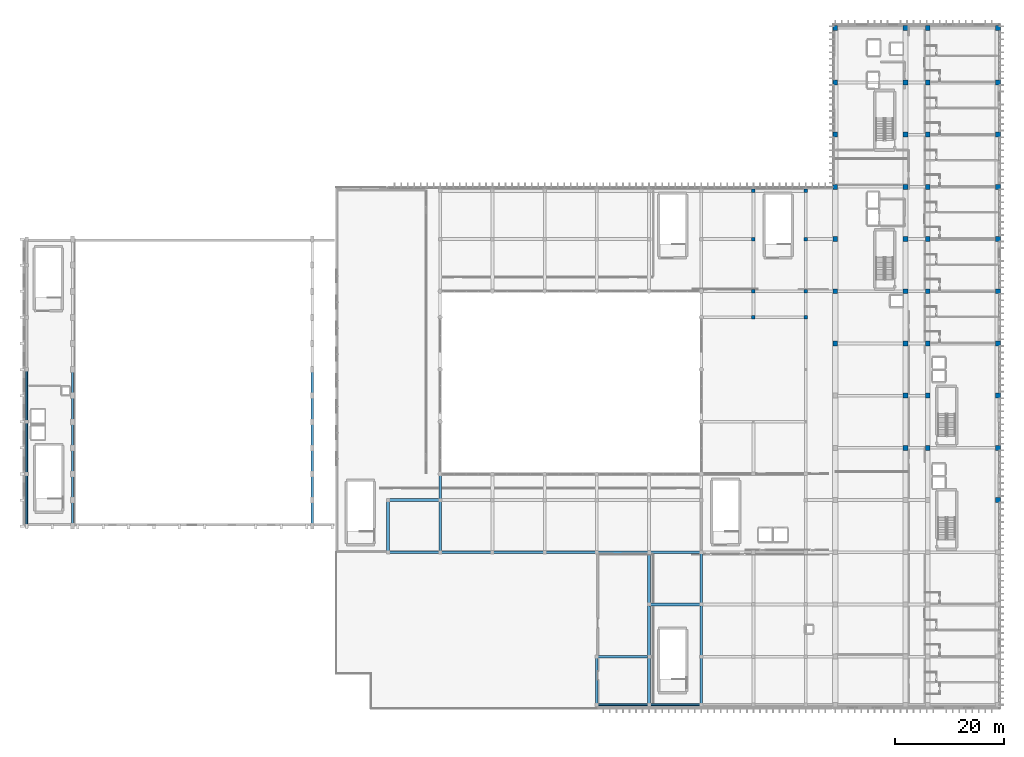
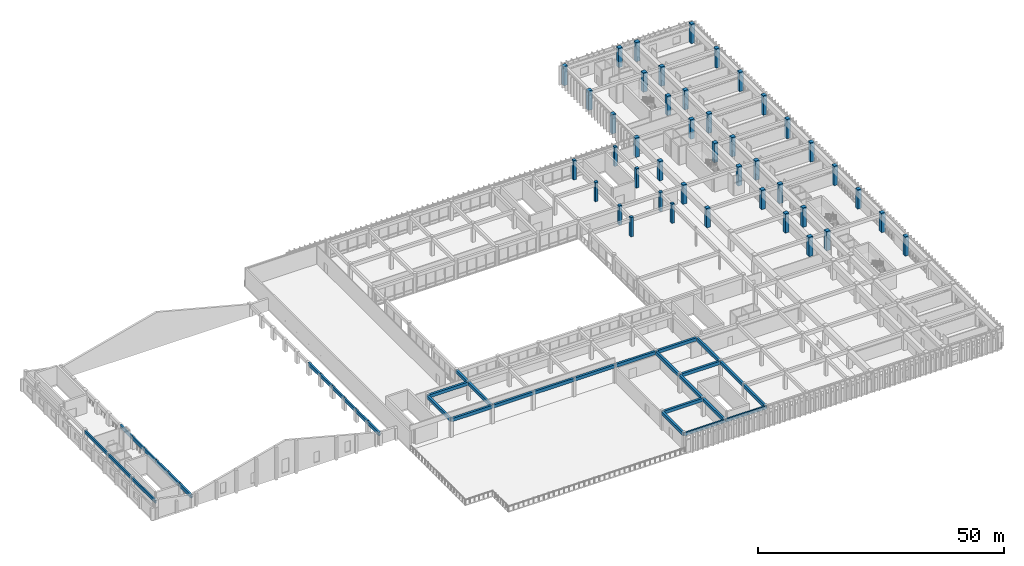
# One storey, part 3 of 101: 43 columns, 36 beams.
"""IFC4 building model written with IfcOpenShell, lengths in metres."""

from ifc_helpers import new_model, si_unit, direction, frame, origin, origin_2d, place, context, subcontext, project, spatial, rectangle, extrude, material, material_profile, profile_set, type_object, element, save


model = new_model("IFC4")

# Units and contexts
model_context = context("Model", 3, precision=1e-05, world=origin(), true_north=direction((0.0, 1.0)))
body_context = subcontext(model_context, "Body", "Model", "MODEL_VIEW")
ifc_project = project(units=[si_unit("LENGTHUNIT", "METRE"), si_unit("AREAUNIT", "SQUARE_METRE"), si_unit("VOLUMEUNIT", "CUBIC_METRE"), si_unit("PLANEANGLEUNIT", "RADIAN"), si_unit("MASSUNIT", "GRAM", prefix="KILO")], contexts=[model_context])

# Site, building, storey
site_placement = place(None, origin())
site = spatial("IfcSite", under=ifc_project, at=site_placement, CompositionType="ELEMENT")
building_placement = place(site_placement, origin())
building = spatial("IfcBuilding", under=site, at=building_placement, Name="Nakhvara Creek Congress Hotel", CompositionType="ELEMENT")
storey_placement = place(building_placement, frame((0.0, 0.0, 16.199951171875)))
storey = spatial("IfcBuildingStorey", under=building, at=storey_placement, Name="L03", CompositionType="ELEMENT", Elevation=16.199951171875)

# Columns
ifc_material_1 = material(Name="Concrete C50/60", Category="concrete")
ifc_material_profile_1 = material_profile(ifc_material_1, rectangle(XDim=0.64990234375, YDim=0.64990234375, at=origin_2d()), Name="RC-COL 650x650", Category="LoadBearing")
ifc_profile_set_1 = profile_set([ifc_material_profile_1], Name="Concrete C50/60")
column_type_1 = type_object("IfcColumnType", Name="COL-RC-650", PredefinedType="COLUMN", material=ifc_profile_set_1)
for number, where, z_axis, x_axis, name in (
    (1, (134.39990234375, 72.0, 0.0), (0.0, 0.0, 1.0), (1.0, 0.0, 0.0), "Column C07-L03-1303"),
    (2, (134.39990234375, 76.800048828125, 0.0), (0.0, 0.0, 1.0), (1.0, 0.0, 0.0), "Column C07-L03-1304"),
    (3, (134.39990234375, 86.39990234375, 0.0), (0.0, 0.0, 1.0), (1.0, 0.0, 0.0), "Column C07-L03-1305"),
    (4, (134.39990234375, 95.25, 0.0), (0.0, 0.0, 1.0), (1.0, 0.0, 0.0), "Column C07-L03-1306"),
    (5, (144.0, 72.0, 0.0), (0.0, 0.0, 1.0), (1.0, 0.0, 0.0), "Column C07-L03-1315"),
    (6, (144.0, 76.800048828125, 0.0), (0.0, 0.0, 1.0), (1.0, 0.0, 0.0), "Column C07-L03-1316"),
    (7, (144.0, 86.39990234375, 0.0), (0.0, 0.0, 1.0), (1.0, 0.0, 0.0), "Column C07-L03-1317"),
    (8, (144.0, 95.25, 0.0), (0.0, 0.0, 1.0), (1.0, 0.0, 0.0), "Column C07-L03-1318"),
):
    element("IfcColumn", number, at=place(storey_placement, frame(where, z_axis=z_axis, x_axis=x_axis)), inside=storey, type_object=column_type_1, Name=name, PredefinedType="COLUMN", context=body_context, shape_type="SweptSolid", body=[
        extrude(rectangle(XDim=0.64990234375, YDim=0.64990234375, at=origin_2d()), origin(), (0.0, 0.0, 1.0), 4.800048828125),
    ])
ifc_material_profile_2 = material_profile(ifc_material_1, rectangle(XDim=0.89990234375, YDim=0.89990234375, at=origin_2d()), Name="RC-COL 900x900", Category="LoadBearing")
ifc_profile_set_2 = profile_set([ifc_material_profile_2], Name="Concrete C50/60")
column_type_2 = type_object("IfcColumnType", Name="COL-RC-900", PredefinedType="COLUMN", material=ifc_profile_set_2)
for number, where, z_axis, x_axis, name in (
    (9, (149.449951171875, 67.199951171875, 0.0), (0.0, 0.0, 1.0), (1.0, 0.0, 0.0), "Column C03-L03-1326"),
    (10, (149.449951171875, 76.800048828125, 0.0), (0.0, 0.0, 1.0), (1.0, 0.0, 0.0), "Column C03-L03-1327"),
    (11, (149.449951171875, 86.39990234375, 0.0), (0.0, 0.0, 1.0), (1.0, 0.0, 0.0), "Column C03-L03-1328"),
    (12, (149.449951171875, 96.0, 0.0), (0.0, 0.0, 1.0), (1.0, 0.0, 0.0), "Column C03-L03-1329"),
    (13, (149.449951171875, 105.60009765625, 0.0), (0.0, 0.0, 1.0), (1.0, 0.0, 0.0), "Column C03-L03-1330"),
    (14, (149.449951171875, 115.199951171875, 0.0), (0.0, 0.0, 1.0), (1.0, 0.0, 0.0), "Column C03-L03-1331"),
    (15, (149.449951171875, 125.25, 0.0), (0.0, 0.0, 1.0), (1.0, 0.0, 0.0), "Column C03-L03-1332"),
    (16, (162.35009765625, 48.0, 0.0), (0.0, 0.0, 1.0), (1.0, 0.0, 0.0), "Column C03-L03-1338"),
    (17, (162.35009765625, 57.60009765625, 0.0), (0.0, 0.0, 1.0), (1.0, 0.0, 0.0), "Column C03-L03-1339"),
    (18, (162.35009765625, 67.199951171875, 0.0), (0.0, 0.0, 1.0), (1.0, 0.0, 0.0), "Column C03-L03-1340"),
    (19, (162.35009765625, 76.800048828125, 0.0), (0.0, 0.0, 1.0), (1.0, 0.0, 0.0), "Column C03-L03-1341"),
    (20, (162.35009765625, 86.39990234375, 0.0), (0.0, 0.0, 1.0), (1.0, 0.0, 0.0), "Column C03-L03-1342"),
    (21, (162.35009765625, 96.0, 0.0), (0.0, 0.0, 1.0), (1.0, 0.0, 0.0), "Column C03-L03-1343"),
    (22, (162.35009765625, 105.60009765625, 0.0), (0.0, 0.0, 1.0), (1.0, 0.0, 0.0), "Column C03-L03-1344"),
    (23, (162.35009765625, 115.199951171875, 0.0), (0.0, 0.0, 1.0), (1.0, 0.0, 0.0), "Column C03-L03-1345"),
    (24, (162.35009765625, 125.25, 0.0), (0.0, 0.0, 1.0), (1.0, 0.0, 0.0), "Column C03-L03-1346"),
    (25, (166.449951171875, 48.0, 0.0), (0.0, 0.0, 1.0), (1.0, 0.0, 0.0), "Column C03-L03-1352"),
    (26, (166.449951171875, 57.60009765625, 0.0), (0.0, 0.0, 1.0), (1.0, 0.0, 0.0), "Column C03-L03-1353"),
    (27, (166.449951171875, 67.199951171875, 0.0), (0.0, 0.0, 1.0), (1.0, 0.0, 0.0), "Column C03-L03-1354"),
    (28, (166.449951171875, 76.800048828125, 0.0), (0.0, 0.0, 1.0), (1.0, 0.0, 0.0), "Column C03-L03-1355"),
    (29, (166.449951171875, 86.39990234375, 0.0), (0.0, 0.0, 1.0), (1.0, 0.0, 0.0), "Column C03-L03-1356"),
    (30, (166.449951171875, 96.0, 0.0), (0.0, 0.0, 1.0), (1.0, 0.0, 0.0), "Column C03-L03-1357"),
    (31, (166.449951171875, 105.60009765625, 0.0), (0.0, 0.0, 1.0), (1.0, 0.0, 0.0), "Column C03-L03-1358"),
    (32, (166.449951171875, 115.199951171875, 0.0), (0.0, 0.0, 1.0), (1.0, 0.0, 0.0), "Column C03-L03-1359"),
    (33, (166.449951171875, 125.25, 0.0), (0.0, 0.0, 1.0), (1.0, 0.0, 0.0), "Column C03-L03-1360"),
    (34, (179.35009765625, 38.39990234375, 0.0), (0.0, 0.0, 1.0), (1.0, 0.0, 0.0), "Column C03-L03-1365"),
    (35, (179.35009765625, 48.0, 0.0), (0.0, 0.0, 1.0), (1.0, 0.0, 0.0), "Column C03-L03-1366"),
    (36, (179.35009765625, 57.60009765625, 0.0), (0.0, 0.0, 1.0), (1.0, 0.0, 0.0), "Column C03-L03-1367"),
    (37, (179.35009765625, 67.199951171875, 0.0), (0.0, 0.0, 1.0), (1.0, 0.0, 0.0), "Column C03-L03-1368"),
    (38, (179.35009765625, 76.800048828125, 0.0), (0.0, 0.0, 1.0), (1.0, 0.0, 0.0), "Column C03-L03-1369"),
    (39, (179.35009765625, 86.39990234375, 0.0), (0.0, 0.0, 1.0), (1.0, 0.0, 0.0), "Column C03-L03-1370"),
    (40, (179.35009765625, 96.0, 0.0), (0.0, 0.0, 1.0), (1.0, 0.0, 0.0), "Column C03-L03-1371"),
    (41, (179.35009765625, 105.60009765625, 0.0), (0.0, 0.0, 1.0), (1.0, 0.0, 0.0), "Column C03-L03-1372"),
    (42, (179.35009765625, 115.199951171875, 0.0), (0.0, 0.0, 1.0), (1.0, 0.0, 0.0), "Column C03-L03-1373"),
    (43, (179.35009765625, 125.25, 0.0), (0.0, 0.0, 1.0), (1.0, 0.0, 0.0), "Column C03-L03-1374"),
):
    element("IfcColumn", number, at=place(storey_placement, frame(where, z_axis=z_axis, x_axis=x_axis)), inside=storey, type_object=column_type_2, Name=name, PredefinedType="COLUMN", context=body_context, shape_type="SweptSolid", body=[
        extrude(rectangle(XDim=0.89990234375, YDim=0.89990234375, at=origin_2d()), origin(), (0.0, 0.0, 1.0), 4.800048828125),
    ])

# Beams
ifc_material_2 = material(Name="Concrete C40/50", Category="concrete")
ifc_material_profile_3 = material_profile(ifc_material_2, rectangle(XDim=0.5, YDim=0.800048828125, at=origin_2d()), Name="RC-BM 500x800", Category="LoadBearing")
ifc_profile_set_3 = profile_set([ifc_material_profile_3], Name="Concrete C40/50")
beam_type_1 = type_object("IfcBeamType", Name="BM-RC-500X800", PredefinedType="BEAM", material=ifc_profile_set_3)
beam_1_placement = place(storey_placement, frame((67.199951171875, 28.800048828125, 4.14013671875), z_axis=(0.0, 1.0, 0.0), x_axis=(-1.0, 0.0, 0.0)))
element("IfcBeam", 44, at=beam_1_placement, inside=storey, type_object=beam_type_1, Name="Beam B03-L03-1700", PredefinedType="BEAM", context=body_context, shape_type="SweptSolid", body=[
    extrude(rectangle(XDim=0.5, YDim=0.800048828125, at=origin_2d()), origin(), (0.0, 0.0, 1.0), 9.599853515625),
])
for number, where, z_axis, x_axis, name in (
    (45, (67.199951171875, 28.800048828125, 4.14013671875), (1.0, 0.0, 0.0), (0.0, 1.0, 0.0), "Beam B03-L03-1701"),
    (46, (67.199951171875, 38.39990234375, 4.14013671875), (1.0, 0.0, 0.0), (0.0, 1.0, 0.0), "Beam B03-L03-1702"),
):
    element("IfcBeam", number, at=place(storey_placement, frame(where, z_axis=z_axis, x_axis=x_axis)), inside=storey, type_object=beam_type_1, Name=name, PredefinedType="BEAM", context=body_context, shape_type="SweptSolid", body=[
        extrude(rectangle(XDim=0.5, YDim=0.800048828125, at=origin_2d()), origin(), (0.0, 0.0, 1.0), 9.60009765625),
    ])
for number, where, z_axis, x_axis, name in (
    (47, (76.800048828125, 28.800048828125, 4.14013671875), (0.0, 1.0, 0.0), (-1.0, 0.0, 0.0), "Beam B03-L03-1703"),
    (48, (76.800048828125, 28.800048828125, 4.14013671875), (1.0, 0.0, 0.0), (0.0, 1.0, 0.0), "Beam B03-L03-1704"),
):
    element("IfcBeam", number, at=place(storey_placement, frame(where, z_axis=z_axis, x_axis=x_axis)), inside=storey, type_object=beam_type_1, Name=name, PredefinedType="BEAM", context=body_context, shape_type="SweptSolid", body=[
        extrude(rectangle(XDim=0.5, YDim=0.800048828125, at=origin_2d()), origin(), (0.0, 0.0, 1.0), 9.599853515625),
    ])
beam_2_placement = place(storey_placement, frame((76.800048828125, 38.39990234375, 4.14013671875), z_axis=(0.0, 1.0, 0.0), x_axis=(-1.0, 0.0, 0.0)))
element("IfcBeam", 49, at=beam_2_placement, inside=storey, type_object=beam_type_1, Name="Beam B03-L03-1705", PredefinedType="BEAM", context=body_context, shape_type="SweptSolid", body=[
    extrude(rectangle(XDim=0.5, YDim=0.800048828125, at=origin_2d()), origin(), (0.0, 0.0, 1.0), 4.800048828125),
])
for number, where, z_axis, x_axis, name in (
    (50, (86.39990234375, 28.800048828125, 4.14013671875), (1.0, 0.0, 0.0), (0.0, 1.0, 0.0), "Beam B03-L03-1718"),
    (51, (96.0, 28.800048828125, 4.14013671875), (1.0, 0.0, 0.0), (0.0, 1.0, 0.0), "Beam B03-L03-1728"),
):
    element("IfcBeam", number, at=place(storey_placement, frame(where, z_axis=z_axis, x_axis=x_axis)), inside=storey, type_object=beam_type_1, Name=name, PredefinedType="BEAM", context=body_context, shape_type="SweptSolid", body=[
        extrude(rectangle(XDim=0.5, YDim=0.800048828125, at=origin_2d()), origin(), (0.0, 0.0, 1.0), 9.60009765625),
    ])
beam_3_placement = place(storey_placement, frame((105.60009765625, 0.75, 4.14013671875), z_axis=(0.0, 1.0, 0.0), x_axis=(-1.0, 0.0, 0.0)))
element("IfcBeam", 52, at=beam_3_placement, inside=storey, type_object=beam_type_1, Name="Beam B03-L03-1737", PredefinedType="BEAM", context=body_context, shape_type="SweptSolid", body=[
    extrude(rectangle(XDim=0.5, YDim=0.800048828125, at=origin_2d()), origin(), (0.0, 0.0, 1.0), 8.85009765625),
])
for number, where, z_axis, x_axis, name in (
    (53, (105.60009765625, 9.60009765625, 4.14013671875), (1.0, 0.0, 0.0), (0.0, 1.0, 0.0), "Beam B03-L03-1739"),
    (54, (105.60009765625, 28.800048828125, 4.14013671875), (1.0, 0.0, 0.0), (0.0, 1.0, 0.0), "Beam B03-L03-1741"),
):
    element("IfcBeam", number, at=place(storey_placement, frame(where, z_axis=z_axis, x_axis=x_axis)), inside=storey, type_object=beam_type_1, Name=name, PredefinedType="BEAM", context=body_context, shape_type="SweptSolid", body=[
        extrude(rectangle(XDim=0.5, YDim=0.800048828125, at=origin_2d()), origin(), (0.0, 0.0, 1.0), 9.599853515625),
    ])
beam_4_placement = place(storey_placement, frame((115.199951171875, 0.75, 4.14013671875), z_axis=(0.0, 1.0, 0.0), x_axis=(-1.0, 0.0, 0.0)))
element("IfcBeam", 55, at=beam_4_placement, inside=storey, type_object=beam_type_1, Name="Beam B03-L03-1750", PredefinedType="BEAM", context=body_context, shape_type="SweptSolid", body=[
    extrude(rectangle(XDim=0.5, YDim=0.800048828125, at=origin_2d()), origin(), (0.0, 0.0, 1.0), 8.85009765625),
])
beam_5_placement = place(storey_placement, frame((115.199951171875, 9.60009765625, 4.14013671875), z_axis=(0.0, 1.0, 0.0), x_axis=(-1.0, 0.0, 0.0)))
element("IfcBeam", 56, at=beam_5_placement, inside=storey, type_object=beam_type_1, Name="Beam B03-L03-1752", PredefinedType="BEAM", context=body_context, shape_type="SweptSolid", body=[
    extrude(rectangle(XDim=0.5, YDim=0.800048828125, at=origin_2d()), origin(), (0.0, 0.0, 1.0), 9.599853515625),
])
for number, where, z_axis, x_axis, name in (
    (57, (115.199951171875, 19.199951171875, 4.14013671875), (0.0, 1.0, 0.0), (-1.0, 0.0, 0.0), "Beam B03-L03-1753"),
    (58, (115.199951171875, 19.199951171875, 4.14013671875), (1.0, 0.0, 0.0), (0.0, 1.0, 0.0), "Beam B03-L03-1754"),
    (59, (115.199951171875, 28.800048828125, 4.14013671875), (1.0, 0.0, 0.0), (0.0, 1.0, 0.0), "Beam B03-L03-1756"),
):
    element("IfcBeam", number, at=place(storey_placement, frame(where, z_axis=z_axis, x_axis=x_axis)), inside=storey, type_object=beam_type_1, Name=name, PredefinedType="BEAM", context=body_context, shape_type="SweptSolid", body=[
        extrude(rectangle(XDim=0.5, YDim=0.800048828125, at=origin_2d()), origin(), (0.0, 0.0, 1.0), 9.60009765625),
    ])
beam_6_placement = place(storey_placement, frame((124.800048828125, 0.75, 4.14013671875), z_axis=(0.0, 1.0, 0.0), x_axis=(-1.0, 0.0, 0.0)))
element("IfcBeam", 60, at=beam_6_placement, inside=storey, type_object=beam_type_1, Name="Beam B03-L03-1764", PredefinedType="BEAM", context=body_context, shape_type="SweptSolid", body=[
    extrude(rectangle(XDim=0.5, YDim=0.800048828125, at=origin_2d()), origin(), (0.0, 0.0, 1.0), 8.85009765625),
])
beam_7_placement = place(storey_placement, frame((124.800048828125, 9.60009765625, 4.14013671875), z_axis=(0.0, 1.0, 0.0), x_axis=(-1.0, 0.0, 0.0)))
element("IfcBeam", 61, at=beam_7_placement, inside=storey, type_object=beam_type_1, Name="Beam B03-L03-1766", PredefinedType="BEAM", context=body_context, shape_type="SweptSolid", body=[
    extrude(rectangle(XDim=0.5, YDim=0.800048828125, at=origin_2d()), origin(), (0.0, 0.0, 1.0), 9.599853515625),
])
beam_8_placement = place(storey_placement, frame((124.800048828125, 19.199951171875, 4.14013671875), z_axis=(0.0, 1.0, 0.0), x_axis=(-1.0, 0.0, 0.0)))
element("IfcBeam", 62, at=beam_8_placement, inside=storey, type_object=beam_type_1, Name="Beam B03-L03-1768", PredefinedType="BEAM", context=body_context, shape_type="SweptSolid", body=[
    extrude(rectangle(XDim=0.5, YDim=0.800048828125, at=origin_2d()), origin(), (0.0, 0.0, 1.0), 9.60009765625),
])
ifc_material_profile_4 = material_profile(ifc_material_2, rectangle(XDim=0.35009765625, YDim=0.75, at=origin_2d()), Name="RC-SPANDREL 350x750", Category="LoadBearing")
ifc_profile_set_4 = profile_set([ifc_material_profile_4], Name="Concrete C40/50")
beam_type_2 = type_object("IfcBeamType", Name="BM-SPN-350X750", PredefinedType="SPANDREL", material=ifc_profile_set_4)
beam_9_placement = place(storey_placement, frame((0.75, 33.60009765625, 4.1650390625), z_axis=(0.0, 1.0, 0.0), x_axis=(-1.0, 0.0, 0.0)))
element("IfcBeam", 63, at=beam_9_placement, inside=storey, type_object=beam_type_2, Name="Beam SP1-L03-1694", PredefinedType="SPANDREL", context=body_context, shape_type="SweptSolid", body=[
    extrude(rectangle(XDim=0.35009765625, YDim=0.75, at=origin_2d()), origin(), (0.0, 0.0, 1.0), 9.599853515625),
])
beam_10_placement = place(storey_placement, frame((0.75, 43.199951171875, 4.1650390625), z_axis=(0.0, 1.0, 0.0), x_axis=(-1.0, 0.0, 0.0)))
element("IfcBeam", 64, at=beam_10_placement, inside=storey, type_object=beam_type_2, Name="Beam SP1-L03-1695", PredefinedType="SPANDREL", context=body_context, shape_type="SweptSolid", body=[
    extrude(rectangle(XDim=0.35009765625, YDim=0.75, at=origin_2d()), origin(), (0.0, 0.0, 1.0), 9.60009765625),
])
for number, where, z_axis, x_axis, name in (
    (65, (0.75, 52.800048828125, 4.1650390625), (0.0, 1.0, 0.0), (-1.0, 0.0, 0.0), "Beam SP1-L03-1696"),
    (66, (105.60009765625, 0.75, 4.1650390625), (1.0, 0.0, 0.0), (0.0, 1.0, 0.0), "Beam SP1-L03-1738"),
):
    element("IfcBeam", number, at=place(storey_placement, frame(where, z_axis=z_axis, x_axis=x_axis)), inside=storey, type_object=beam_type_2, Name=name, PredefinedType="SPANDREL", context=body_context, shape_type="SweptSolid", body=[
        extrude(rectangle(XDim=0.35009765625, YDim=0.75, at=origin_2d()), origin(), (0.0, 0.0, 1.0), 9.599853515625),
    ])
beam_11_placement = place(storey_placement, frame((115.199951171875, 0.75, 4.1650390625), z_axis=(1.0, 0.0, 0.0), x_axis=(0.0, 1.0, 0.0)))
element("IfcBeam", 67, at=beam_11_placement, inside=storey, type_object=beam_type_2, Name="Beam SP1-L03-1751", PredefinedType="SPANDREL", context=body_context, shape_type="SweptSolid", body=[
    extrude(rectangle(XDim=0.35009765625, YDim=0.75, at=origin_2d()), origin(), (0.0, 0.0, 1.0), 9.60009765625),
])
ifc_material_profile_5 = material_profile(ifc_material_1, rectangle(XDim=0.39990234375, YDim=0.85009765625, at=origin_2d()), Name="RC-SPANDREL 400x850", Category="LoadBearing")
ifc_profile_set_5 = profile_set([ifc_material_profile_5], Name="Concrete C50/60")
beam_type_3 = type_object("IfcBeamType", Name="BM-SPN-400X850", PredefinedType="SPANDREL", material=ifc_profile_set_5)
beam_12_placement = place(storey_placement, frame((9.14990234375, 33.60009765625, 2.574951171875), z_axis=(0.0, 1.0, 0.0), x_axis=(-1.0, 0.0, 0.0)))
element("IfcBeam", 68, at=beam_12_placement, inside=storey, type_object=beam_type_3, Name="Congress Hall Roof Ring Beam W-01", PredefinedType="SPANDREL", context=body_context, shape_type="SweptSolid", body=[
    extrude(rectangle(XDim=0.39990234375, YDim=0.85009765625, at=origin_2d()), origin(), (0.0, 0.0, 1.0), 4.7998046875),
])
for number, where, z_axis, x_axis, name in (
    (69, (9.14990234375, 38.39990234375, 2.574951171875), (0.0, 1.0, 0.0), (-1.0, 0.0, 0.0), "Congress Hall Roof Ring Beam W-02"),
    (70, (9.14990234375, 43.199951171875, 2.574951171875), (0.0, 1.0, 0.0), (-1.0, 0.0, 0.0), "Congress Hall Roof Ring Beam W-03"),
    (71, (9.14990234375, 48.0, 2.574951171875), (0.0, 1.0, 0.0), (-1.0, 0.0, 0.0), "Congress Hall Roof Ring Beam W-04"),
    (72, (9.14990234375, 52.800048828125, 2.574951171875), (0.0, 1.0, 0.0), (-1.0, 0.0, 0.0), "Congress Hall Roof Ring Beam W-05"),
):
    element("IfcBeam", number, at=place(storey_placement, frame(where, z_axis=z_axis, x_axis=x_axis)), inside=storey, type_object=beam_type_3, Name=name, PredefinedType="SPANDREL", context=body_context, shape_type="SweptSolid", body=[
        extrude(rectangle(XDim=0.39990234375, YDim=0.85009765625, at=origin_2d()), origin(), (0.0, 0.0, 1.0), 4.800048828125),
    ])
for number, where, z_axis, x_axis, name in (
    (73, (9.14990234375, 57.60009765625, 2.574951171875), (0.0, 1.0, 0.0), (-1.0, 0.0, 0.0), "Congress Hall Roof Ring Beam W-06"),
    (74, (53.25, 33.60009765625, 2.574951171875), (0.0, 1.0, 0.0), (-1.0, 0.0, 0.0), "Congress Hall Roof Ring Beam E-01"),
):
    element("IfcBeam", number, at=place(storey_placement, frame(where, z_axis=z_axis, x_axis=x_axis)), inside=storey, type_object=beam_type_3, Name=name, PredefinedType="SPANDREL", context=body_context, shape_type="SweptSolid", body=[
        extrude(rectangle(XDim=0.39990234375, YDim=0.85009765625, at=origin_2d()), origin(), (0.0, 0.0, 1.0), 4.7998046875),
    ])
for number, where, z_axis, x_axis, name in (
    (75, (53.25, 38.39990234375, 2.574951171875), (0.0, 1.0, 0.0), (-1.0, 0.0, 0.0), "Congress Hall Roof Ring Beam E-02"),
    (76, (53.25, 43.199951171875, 2.574951171875), (0.0, 1.0, 0.0), (-1.0, 0.0, 0.0), "Congress Hall Roof Ring Beam E-03"),
    (77, (53.25, 48.0, 2.574951171875), (0.0, 1.0, 0.0), (-1.0, 0.0, 0.0), "Congress Hall Roof Ring Beam E-04"),
    (78, (53.25, 52.800048828125, 2.574951171875), (0.0, 1.0, 0.0), (-1.0, 0.0, 0.0), "Congress Hall Roof Ring Beam E-05"),
):
    element("IfcBeam", number, at=place(storey_placement, frame(where, z_axis=z_axis, x_axis=x_axis)), inside=storey, type_object=beam_type_3, Name=name, PredefinedType="SPANDREL", context=body_context, shape_type="SweptSolid", body=[
        extrude(rectangle(XDim=0.39990234375, YDim=0.85009765625, at=origin_2d()), origin(), (0.0, 0.0, 1.0), 4.800048828125),
    ])
beam_13_placement = place(storey_placement, frame((53.25, 57.60009765625, 2.574951171875), z_axis=(0.0, 1.0, 0.0), x_axis=(-1.0, 0.0, 0.0)))
element("IfcBeam", 79, at=beam_13_placement, inside=storey, type_object=beam_type_3, Name="Congress Hall Roof Ring Beam E-06", PredefinedType="SPANDREL", context=body_context, shape_type="SweptSolid", body=[
    extrude(rectangle(XDim=0.39990234375, YDim=0.85009765625, at=origin_2d()), origin(), (0.0, 0.0, 1.0), 4.7998046875),
])

save(model, "model.ifc")
